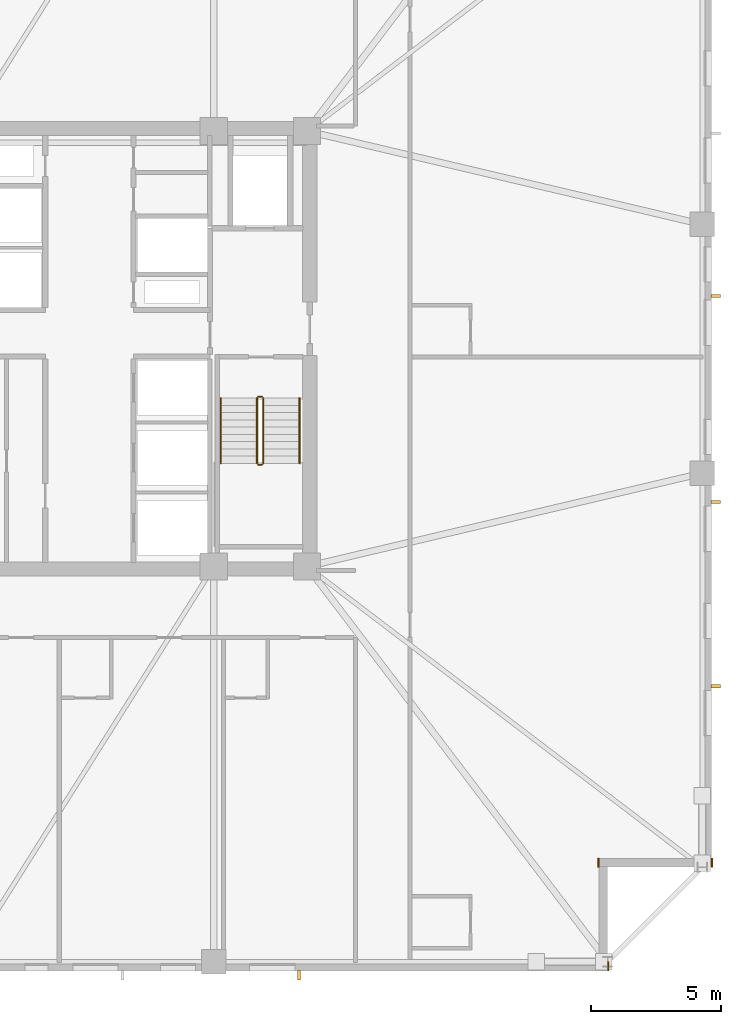
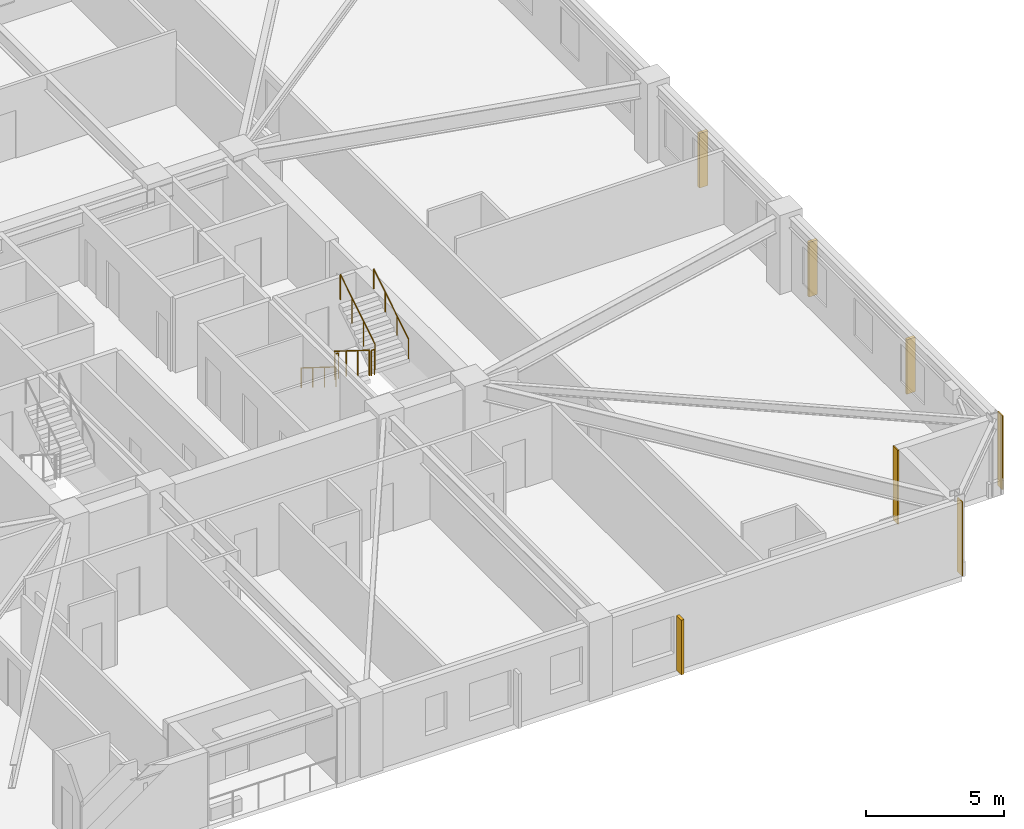
# One storey, part 8 of 10: 6 railings, 4 shading devices, 3 coverings.
"""IFC4 building model written with IfcOpenShell, lengths in metres."""

from ifc_helpers import new_model, si_unit, direction, frame, frame_2d, origin, origin_2d, place, context, subcontext, project, spatial, rectangle, circle, extrude, material, layer, layer_set, type_object, element, save


model = new_model("IFC4")

# Units and contexts
model_context = context("Model", 3, precision=1e-05, world=origin(), true_north=direction((0.0, 1.0)))
body_context = subcontext(model_context, "Body", "Model", "MODEL_VIEW")
ifc_project = project(units=[si_unit("LENGTHUNIT", "METRE"), si_unit("AREAUNIT", "SQUARE_METRE"), si_unit("VOLUMEUNIT", "CUBIC_METRE"), si_unit("PLANEANGLEUNIT", "RADIAN"), si_unit("MASSUNIT", "GRAM", prefix="KILO")], contexts=[model_context])

# Site, building, storey
site_placement = place(None, origin())
site = spatial("IfcSite", under=ifc_project, at=site_placement, CompositionType="ELEMENT")
building_placement = place(site_placement, origin())
building = spatial("IfcBuilding", under=site, at=building_placement, Name="Cairnveth Concourse Tower", CompositionType="ELEMENT")
storey_placement = place(building_placement, frame((0.0, 0.0, 144.5)))
storey = spatial("IfcBuildingStorey", under=building, at=storey_placement, Name="L39", CompositionType="ELEMENT", Elevation=144.5)

# Coverings
ifc_material_1 = material(Name="Dressed Melbourne Bluestone Cladding", Category="masonry")
ifc_layer = layer(ifc_material_1, 0.050048828125)
ifc_layer_set = layer_set([ifc_layer], Name="Dressed Melbourne Bluestone Cladding")
covering_type = type_object("IfcCoveringType", Name="DRESSED BLUESTONE PLINTH CLADDING 50", PredefinedType="CLADDING", material=ifc_layer_set)
for number, where, z_axis, x_axis, name in (
    (1, (76.02001953125, 19.340087890625, 0.0), (0.0, 0.0, 1.0), (0.0, -1.0, 0.0), "Melbourne Bluestone Corner Quoin L39-573"),
    (2, (71.639892578125, 19.340087890625, 0.0), (0.0, 0.0, 1.0), (0.0, -1.0, 0.0), "Melbourne Bluestone Corner Quoin L39-574"),
    (3, (72.02001953125, 15.340087890625, 0.0), (0.0, 0.0, 1.0), (0.0, -1.0, 0.0), "Melbourne Bluestone Corner Quoin L39-575"),
):
    element("IfcCovering", number, at=place(storey_placement, frame(where, z_axis=z_axis, x_axis=x_axis)), inside=storey, type_object=covering_type, Name=name, PredefinedType="CLADDING", context=body_context, shape_type="SweptSolid", body=[
        extrude(rectangle(XDim=0.340087890625, YDim=0.050048828125, at=frame_2d((0.169921875, 0.0))), origin(), (0.0, 0.0, 1.0), 3.280029296875),
    ])

# Shading devices
ifc_material_2 = material(Name="Architectural Bronze Anodised Aluminium 6063-T6", Category="aluminium")
shading_device_type = type_object("IfcShadingDeviceType", Name="GOTHIC BRONZE VERTICAL LANCET FIN", PredefinedType="USERDEFINED", material=ifc_material_2)
for number, where, z_axis, x_axis, name in (
    (4, (76.175048828125, 41.0439453125, 0.030029296875), (0.0, 0.0, 1.0), (0.0, 1.0, 0.0), "Gothic Bronze Vertical Fin L39-9-5"),
    (5, (76.175048828125, 33.0869140625, 0.030029296875), (0.0, 0.0, 1.0), (0.0, 1.0, 0.0), "Gothic Bronze Vertical Fin L39-9-7"),
    (6, (76.175048828125, 25.979736328125, 0.030029296875), (0.0, 0.0, 1.0), (0.0, 1.0, 0.0), "Gothic Bronze Vertical Fin L39-9-9"),
    (7, (60.093994140625, 14.824951171875, 0.030029296875), (0.0, 0.0, 1.0), (1.0, 0.0, 0.0), "Gothic Bronze Vertical Fin L39-12-3"),
):
    element("IfcShadingDevice", number, at=place(storey_placement, frame(where, z_axis=z_axis, x_axis=x_axis)), inside=storey, type_object=shading_device_type, Name=name, ObjectType="VERTICAL FIN", PredefinedType="USERDEFINED", context=body_context, shape_type="SweptSolid", body=[
        extrude(rectangle(XDim=0.1201171875, YDim=0.360107421875, at=origin_2d()), origin(), (0.0, 0.0, 1.0), 2.419921875),
    ])

# Railings
ifc_material_3 = material(Name="Steel Grade 350", Category="steel")
railing_type_1 = type_object("IfcRailingType", Name="STAIR GUARDRAIL 1150", PredefinedType="GUARDRAIL", material=ifc_material_3)
railing_1_placement = place(storey_placement, frame((58.469970703125, 37.10009765625, 0.175048828125)))
element("IfcRailing", 8, at=railing_1_placement, inside=storey, type_object=railing_type_1, Name="L39 ST-2 stair guard 1", PredefinedType="GUARDRAIL", context=body_context, shape_type="SweptSolid", body=[
    extrude(circle(Radius=0.02392578125, at=origin_2d()), frame((0.0, 0.0, 1.1259765625), z_axis=(0.0, -0.848007534815, 0.529984170421), x_axis=(1.0, 0.0, 0.0)), (0.0, 0.0, 1.0), 2.9716796875),
    extrude(circle(Radius=0.02099609375, at=origin_2d()), origin(), (0.0, 0.0, 1.0), 1.101806640625),
    extrude(circle(Radius=0.02099609375, at=origin_2d()), frame((0.0, -0.840087890625, 0.52490234375)), (0.0, 0.0, 1.0), 1.101806640625),
    extrude(circle(Radius=0.02099609375, at=origin_2d()), frame((0.0, -1.679931640625, 1.050048828125)), (0.0, 0.0, 1.0), 1.101806640625),
    extrude(circle(Radius=0.02099609375, at=origin_2d()), frame((0.0, -2.52001953125, 1.574951171875)), (0.0, 0.0, 1.0), 1.101806640625),
])
railing_2_placement = place(storey_placement, frame((58.52001953125, 34.530029296875, 1.75)))
element("IfcRailing", 9, at=railing_2_placement, inside=storey, type_object=railing_type_1, Name="L39 ST-2 stair guard 2", PredefinedType="GUARDRAIL", context=body_context, shape_type="SweptSolid", body=[
    extrude(circle(Radius=0.02392578125, at=origin_2d()), frame((0.0, 0.0, 1.1259765625), z_axis=(1.0, 0.0, 0.0), x_axis=(0.0, 1.0, 0.0)), (0.0, 0.0, 1.0), 0.139892578125),
    extrude(circle(Radius=0.02099609375, at=origin_2d()), origin(), (0.0, 0.0, 1.0), 1.101806640625),
    extrude(circle(Radius=0.02099609375, at=origin_2d()), frame((0.139892578125, 0.0, 0.0)), (0.0, 0.0, 1.0), 1.101806640625),
])
railing_3_placement = place(storey_placement, frame((58.7099609375, 34.580078125, 1.925048828125)))
element("IfcRailing", 10, at=railing_3_placement, inside=storey, type_object=railing_type_1, Name="L39 ST-2 stair guard 3", PredefinedType="GUARDRAIL", context=body_context, shape_type="SweptSolid", body=[
    extrude(circle(Radius=0.02392578125, at=origin_2d()), frame((0.0, 0.0, 1.1259765625), z_axis=(0.0, 0.848007534815, 0.529984170421), x_axis=(-1.0, 0.0, 0.0)), (0.0, 0.0, 1.0), 2.9716796875),
    extrude(circle(Radius=0.02099609375, at=origin_2d()), origin(), (0.0, 0.0, 1.0), 1.101806640625),
    extrude(circle(Radius=0.02099609375, at=origin_2d()), frame((0.0, 0.840087890625, 0.52490234375)), (0.0, 0.0, 1.0), 1.101806640625),
    extrude(circle(Radius=0.02099609375, at=origin_2d()), frame((0.0, 1.679931640625, 1.050048828125)), (0.0, 0.0, 1.0), 1.101806640625),
    extrude(circle(Radius=0.02099609375, at=origin_2d()), frame((0.0, 2.52001953125, 1.574951171875)), (0.0, 0.0, 1.0), 1.101806640625),
])
railing_4_placement = place(storey_placement, frame((58.52001953125, 37.14990234375, 0.0)))
element("IfcRailing", 11, at=railing_4_placement, inside=storey, type_object=railing_type_1, Name="L39 ST-2 stair guard 4", PredefinedType="GUARDRAIL", context=body_context, shape_type="SweptSolid", body=[
    extrude(circle(Radius=0.02392578125, at=origin_2d()), frame((0.0, 0.0, 1.1259765625), z_axis=(1.0, 0.0, 0.0), x_axis=(0.0, 1.0, 0.0)), (0.0, 0.0, 1.0), 0.139892578125),
    extrude(circle(Radius=0.02099609375, at=origin_2d()), origin(), (0.0, 0.0, 1.0), 1.101806640625),
    extrude(circle(Radius=0.02099609375, at=origin_2d()), frame((0.139892578125, 0.0, 0.0)), (0.0, 0.0, 1.0), 1.101806640625),
])
railing_type_2 = type_object("IfcRailingType", Name="STAIR WALL HANDRAIL 900", PredefinedType="HANDRAIL", material=ifc_material_3)
railing_5_placement = place(storey_placement, frame((57.070068359375, 37.10009765625, 0.175048828125)))
element("IfcRailing", 12, at=railing_5_placement, inside=storey, type_object=railing_type_2, Name="L39 ST-2 stair handrail 1", PredefinedType="HANDRAIL", context=body_context, shape_type="SweptSolid", body=[
    extrude(circle(Radius=0.02392578125, at=origin_2d()), frame((0.0, 0.0, 0.8759765625), z_axis=(0.0, -0.848007534815, 0.529984170421), x_axis=(1.0, 0.0, 0.0)), (0.0, 0.0, 1.0), 2.9716796875),
    extrude(circle(Radius=0.02099609375, at=origin_2d()), origin(), (0.0, 0.0, 1.0), 0.851806640625),
    extrude(circle(Radius=0.02099609375, at=origin_2d()), frame((0.0, -0.840087890625, 0.52490234375)), (0.0, 0.0, 1.0), 0.851806640625),
    extrude(circle(Radius=0.02099609375, at=origin_2d()), frame((0.0, -1.679931640625, 1.050048828125)), (0.0, 0.0, 1.0), 0.851806640625),
    extrude(circle(Radius=0.02099609375, at=origin_2d()), frame((0.0, -2.52001953125, 1.574951171875)), (0.0, 0.0, 1.0), 0.851806640625),
])
railing_6_placement = place(storey_placement, frame((60.110107421875, 34.580078125, 1.925048828125)))
element("IfcRailing", 13, at=railing_6_placement, inside=storey, type_object=railing_type_2, Name="L39 ST-2 stair handrail 2", PredefinedType="HANDRAIL", context=body_context, shape_type="SweptSolid", body=[
    extrude(circle(Radius=0.02392578125, at=origin_2d()), frame((0.0, 0.0, 0.8759765625), z_axis=(0.0, 0.848007534815, 0.529984170421), x_axis=(-1.0, 0.0, 0.0)), (0.0, 0.0, 1.0), 2.9716796875),
    extrude(circle(Radius=0.02099609375, at=origin_2d()), origin(), (0.0, 0.0, 1.0), 0.851806640625),
    extrude(circle(Radius=0.02099609375, at=origin_2d()), frame((0.0, 0.840087890625, 0.52490234375)), (0.0, 0.0, 1.0), 0.851806640625),
    extrude(circle(Radius=0.02099609375, at=origin_2d()), frame((0.0, 1.679931640625, 1.050048828125)), (0.0, 0.0, 1.0), 0.851806640625),
    extrude(circle(Radius=0.02099609375, at=origin_2d()), frame((0.0, 2.52001953125, 1.574951171875)), (0.0, 0.0, 1.0), 0.851806640625),
])

save(model, "model.ifc")
